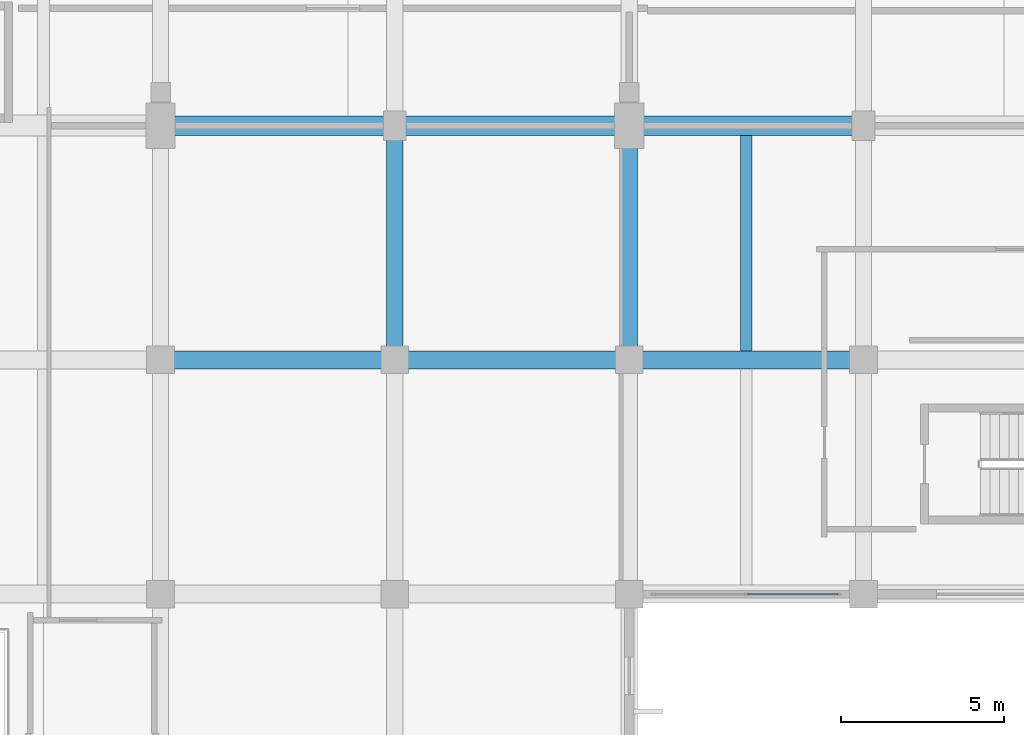
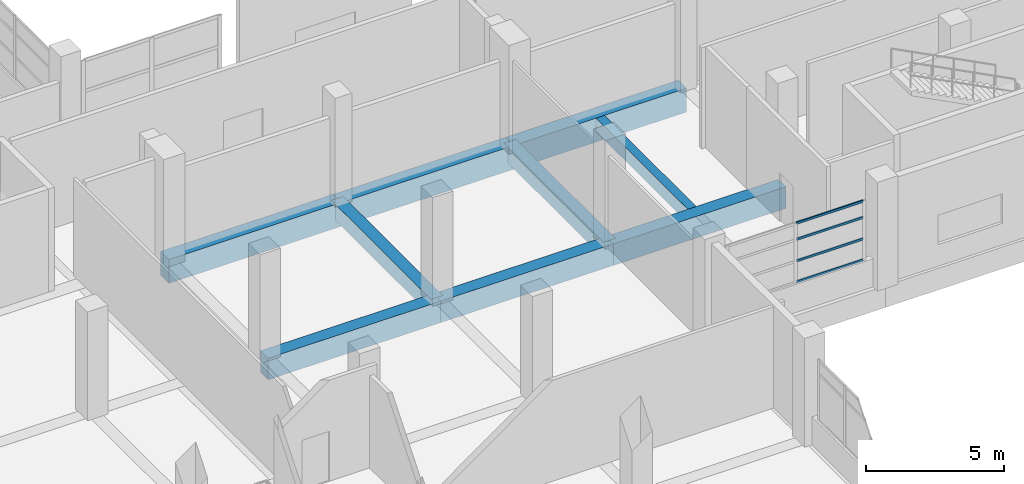
# One storey, part 72 of 181: 9 beams, 4 members, 1 element without a shape of its own.
"""IFC4 building model written with IfcOpenShell, lengths in metres."""

from ifc_helpers import new_model, si_unit, direction, frame, origin, origin_2d, place, context, subcontext, project, spatial, rectangle, hollow_rectangle, extrude, material, layer, layer_set, material_profile, profile_set, type_object, element, aggregate, save


model = new_model("IFC4")

# Units and contexts
model_context = context("Model", 3, precision=1e-05, world=origin(), true_north=direction((0.0, 1.0)))
body_context = subcontext(model_context, "Body", "Model", "MODEL_VIEW")
ifc_project = project(units=[si_unit("LENGTHUNIT", "METRE"), si_unit("AREAUNIT", "SQUARE_METRE"), si_unit("VOLUMEUNIT", "CUBIC_METRE"), si_unit("PLANEANGLEUNIT", "RADIAN"), si_unit("MASSUNIT", "GRAM", prefix="KILO")], contexts=[model_context])

# Site, building, storey
site_placement = place(None, origin())
site = spatial("IfcSite", under=ifc_project, at=site_placement, CompositionType="ELEMENT")
building_placement = place(site_placement, origin())
building = spatial("IfcBuilding", under=site, at=building_placement, Name="Seraya Terrace Polytechnic", CompositionType="ELEMENT")
storey_placement = place(building_placement, frame((0.0, 0.0, 4.800048828125)))
storey = spatial("IfcBuildingStorey", under=building, at=storey_placement, Name="L01", CompositionType="ELEMENT", Elevation=4.800048828125)

# Beams
ifc_material_1 = material(Name="Concrete C40/50", Category="concrete")
ifc_material_profile_1 = material_profile(ifc_material_1, rectangle(XDim=0.60009765625, YDim=1.050048828125, at=origin_2d()), Name="RC 600x1050")
ifc_profile_set_1 = profile_set([ifc_material_profile_1], Name="Concrete C40/50")
beam_type_1 = type_object("IfcBeamType", Name="BM-01", PredefinedType="BEAM", material=ifc_profile_set_1)
for number, where, z_axis, x_axis, name in (
    (1, (28.800048828125, 79.199951171875, -0.525146484375), (1.0, 0.0, 0.0), (0.0, 1.0, 0.0), "Beam BM-01 L01 X (28.8..36.0, 79.2)"),
    (2, (36.0, 79.199951171875, -0.525146484375), (1.0, 0.0, 0.0), (0.0, 1.0, 0.0), "Beam BM-01 L01 X (36.0..43.2, 79.2)"),
    (3, (43.199951171875, 79.199951171875, -0.525146484375), (1.0, 0.0, 0.0), (0.0, 1.0, 0.0), "Beam BM-01 L01 X (43.2..50.4, 79.2)"),
):
    element("IfcBeam", number, at=place(storey_placement, frame(where, z_axis=z_axis, x_axis=x_axis)), inside=storey, type_object=beam_type_1, Name=name, PredefinedType="BEAM", context=body_context, shape_type="SweptSolid", body=[
        extrude(rectangle(XDim=0.60009765625, YDim=1.050048828125, at=origin_2d()), origin(), (0.0, 0.0, 1.0), 7.199951171875),
    ])
ifc_material_profile_2 = material_profile(ifc_material_1, rectangle(XDim=0.550048828125, YDim=0.949951171875, at=origin_2d()), Name="RC 550x950")
ifc_profile_set_2 = profile_set([ifc_material_profile_2], Name="Concrete C40/50")
beam_type_2 = type_object("IfcBeamType", Name="BM-03", PredefinedType="BEAM", material=ifc_profile_set_2)
for number, where, z_axis, x_axis, name in (
    (4, (28.800048828125, 72.0, -0.47509765625), (1.0, 0.0, 0.0), (0.0, 1.0, 0.0), "Beam BM-03 L01 X (28.8..36.0, 72.0)"),
    (5, (36.0, 72.0, -0.47509765625), (1.0, 0.0, 0.0), (0.0, 1.0, 0.0), "Beam BM-03 L01 X (36.0..43.2, 72.0)"),
    (6, (43.199951171875, 72.0, -0.47509765625), (1.0, 0.0, 0.0), (0.0, 1.0, 0.0), "Beam BM-03 L01 X (43.2..50.4, 72.0)"),
):
    element("IfcBeam", number, at=place(storey_placement, frame(where, z_axis=z_axis, x_axis=x_axis)), inside=storey, type_object=beam_type_2, Name=name, PredefinedType="BEAM", context=body_context, shape_type="SweptSolid", body=[
        extrude(rectangle(XDim=0.550048828125, YDim=0.949951171875, at=origin_2d()), origin(), (0.0, 0.0, 1.0), 7.199951171875),
    ])
ifc_material_profile_3 = material_profile(ifc_material_1, rectangle(XDim=0.5, YDim=0.699951171875, at=origin_2d()), Name="RC 500x700")
ifc_profile_set_3 = profile_set([ifc_material_profile_3], Name="Concrete C40/50")
beam_type_3 = type_object("IfcBeamType", Name="BM-07", PredefinedType="BEAM", material=ifc_profile_set_3)
for number, where, z_axis, x_axis, name in (
    (7, (36.0, 72.0, -0.35009765625), (0.0, 1.0, 0.0), (-1.0, 0.0, 0.0), "Beam BM-07 L01 Y (36.0, 72.0..79.2)"),
    (8, (43.199951171875, 72.0, -0.35009765625), (0.0, 1.0, 0.0), (-1.0, 0.0, 0.0), "Beam BM-07 L01 Y (43.2, 72.0..79.2)"),
):
    element("IfcBeam", number, at=place(storey_placement, frame(where, z_axis=z_axis, x_axis=x_axis)), inside=storey, type_object=beam_type_3, Name=name, PredefinedType="BEAM", context=body_context, shape_type="SweptSolid", body=[
        extrude(rectangle(XDim=0.5, YDim=0.699951171875, at=origin_2d()), origin(), (0.0, 0.0, 1.0), 7.199951171875),
    ])

# Curtain wall, members
ifc_material_2 = material(Name="Anodised aluminium EN AW-6063 T6", Category="aluminium")
ifc_layer = layer(ifc_material_2, 0.179931640625, Name="CW-09")
ifc_layer_set = layer_set([ifc_layer], Name="Anodised aluminium EN AW-6063 T6")
curtain_wall_type = type_object("IfcCurtainWallType", Name="CW-09", PredefinedType="NOTDEFINED", material=ifc_layer_set)
curtain_wall_placement = place(storey_placement, origin())
curtain_wall = element("IfcCurtainWall", 9, at=curtain_wall_placement, inside=storey, type_object=curtain_wall_type, Name="Unitised curtain wall CW-09 (CW-L01-045)", PredefinedType="NOTDEFINED")
ifc_material_profile_4 = material_profile(ifc_material_2, hollow_rectangle(XDim=0.054931640625, YDim=0.10009765625, WallThickness=0.0029296875, at=origin_2d()), Name="RHS 100x55x3.0")
ifc_profile_set_4 = profile_set([ifc_material_profile_4], Name="Anodised aluminium EN AW-6063 T6")
member_type = type_object("IfcMemberType", Name="CWT-03", PredefinedType="USERDEFINED", material=ifc_profile_set_4)
member_1_placement = place(storey_placement, frame((49.6201171875, 64.800048828125, 1.267333984375), z_axis=(-1.0, 0.0, 0.0), x_axis=(0.0, -1.0, 0.0)))
member_1 = element("IfcMember", 10, at=member_1_placement, type_object=member_type, Name="CW-09 transom 1.1", ObjectType="TRANSOM", PredefinedType="USERDEFINED", context=body_context, shape_type="SweptSolid", body=[
    extrude(hollow_rectangle(XDim=0.054931640625, YDim=0.10009765625, WallThickness=0.0029296875, at=origin_2d()), origin(), (0.0, 0.0, 1.0), 2.7900390625),
])
member_2_placement = place(storey_placement, frame((49.6201171875, 64.800048828125, 2.1904296875), z_axis=(-1.0, 0.0, 0.0), x_axis=(0.0, -1.0, 0.0)))
member_2 = element("IfcMember", 11, at=member_2_placement, type_object=member_type, Name="CW-09 transom 1.2", ObjectType="TRANSOM", PredefinedType="USERDEFINED", context=body_context, shape_type="SweptSolid", body=[
    extrude(hollow_rectangle(XDim=0.054931640625, YDim=0.10009765625, WallThickness=0.0029296875, at=origin_2d()), origin(), (0.0, 0.0, 1.0), 2.7900390625),
])
member_3_placement = place(storey_placement, frame((49.6201171875, 64.800048828125, 3.140869140625), z_axis=(-1.0, 0.0, 0.0), x_axis=(0.0, -1.0, 0.0)))
member_3 = element("IfcMember", 12, at=member_3_placement, type_object=member_type, Name="CW-09 transom 1.3", ObjectType="TRANSOM", PredefinedType="USERDEFINED", context=body_context, shape_type="SweptSolid", body=[
    extrude(hollow_rectangle(XDim=0.054931640625, YDim=0.10009765625, WallThickness=0.0029296875, at=origin_2d()), origin(), (0.0, 0.0, 1.0), 2.7900390625),
])
member_4_placement = place(storey_placement, frame((49.6201171875, 64.800048828125, 3.8525390625), z_axis=(-1.0, 0.0, 0.0), x_axis=(0.0, -1.0, 0.0)))
member_4 = element("IfcMember", 13, at=member_4_placement, type_object=member_type, Name="CW-09 transom 1.4", ObjectType="TRANSOM", PredefinedType="USERDEFINED", context=body_context, shape_type="SweptSolid", body=[
    extrude(hollow_rectangle(XDim=0.054931640625, YDim=0.10009765625, WallThickness=0.0029296875, at=origin_2d()), origin(), (0.0, 0.0, 1.0), 2.7900390625),
])
aggregate(curtain_wall, [member_1, member_2, member_3, member_4])

# Beam
ifc_material_profile_5 = material_profile(ifc_material_1, rectangle(XDim=0.35009765625, YDim=0.60009765625, at=origin_2d()), Name="RC 350x600")
ifc_profile_set_5 = profile_set([ifc_material_profile_5], Name="Concrete C40/50")
beam_type_4 = type_object("IfcBeamType", Name="JS-02", PredefinedType="JOIST", material=ifc_profile_set_5)
beam_placement = place(storey_placement, frame((46.800048828125, 72.27490234375, -0.300048828125), z_axis=(0.0, 1.0, 0.0), x_axis=(-1.0, 0.0, 0.0)))
element("IfcBeam", 14, at=beam_placement, inside=storey, type_object=beam_type_4, Name="Secondary joist JS-02 L01", PredefinedType="JOIST", context=body_context, shape_type="SweptSolid", body=[
    extrude(rectangle(XDim=0.35009765625, YDim=0.60009765625, at=origin_2d()), origin(), (0.0, 0.0, 1.0), 6.625),
])

save(model, "model.ifc")
